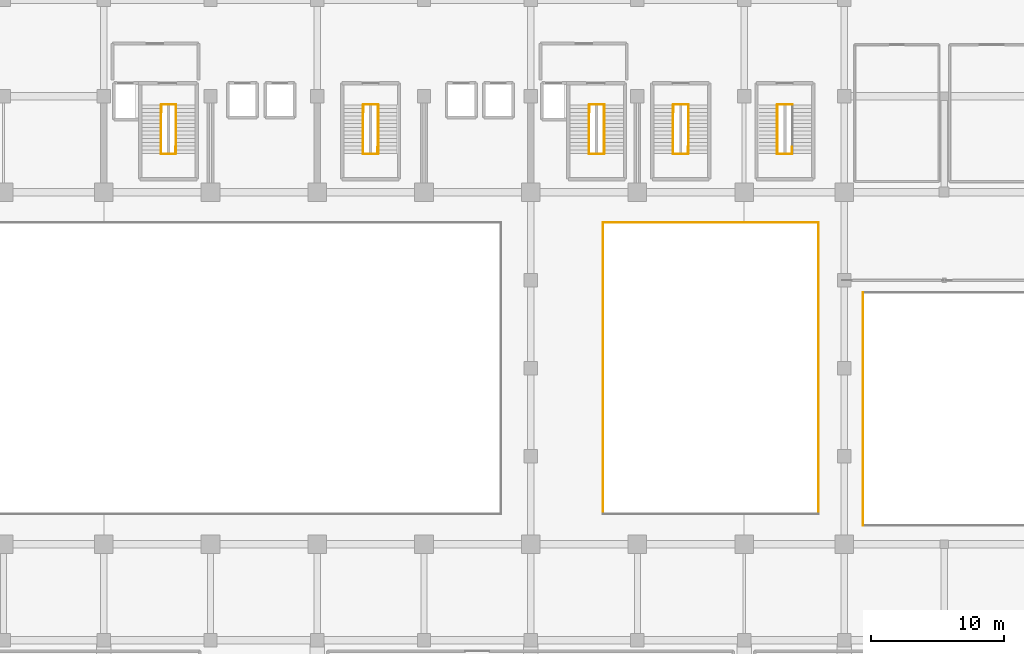
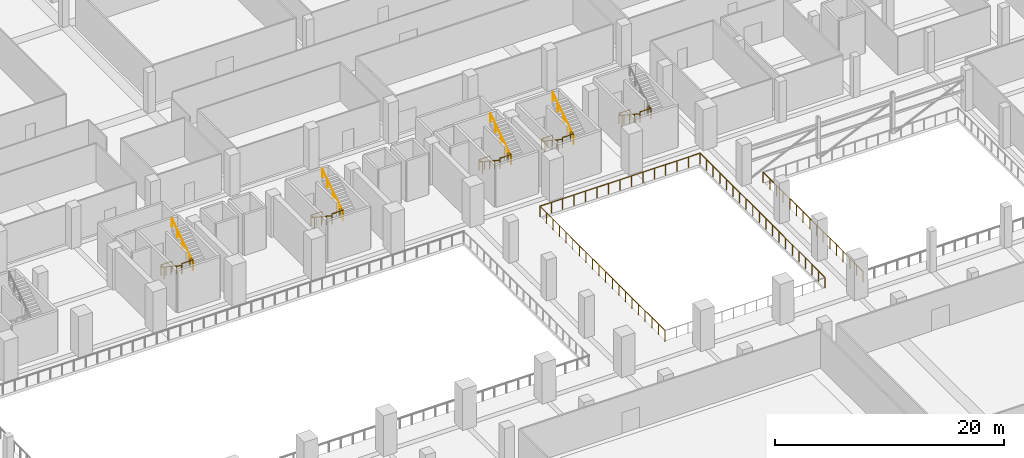
# One storey, part 58 of 64: 23 railings.
"""IFC4 building model written with IfcOpenShell, lengths in metres."""

import ifcopenshell
import ifcopenshell.guid

model = None  # the IFC model being written
_history = None  # IfcOwnerHistory: only IFC2X3 demands one
_inside = {}  # id of a spatial element -> (the spatial element, [elements in it])
_under = {}  # id of a project, library or spatial element -> (it, [spatial elements below it])
_declared = {}  # id of a project -> (the project, [libraries it declares])
_typed = {}  # id of a type object -> (the type object, [elements of that type])
_made_of = {}  # id of a material, layer set ... -> (it, [elements and type objects made of it])


def new_model(schema):
    """Start an empty IFC model of exactly this schema.

    Asked for "IFC4X3", IfcOpenShell would pick the latest addendum, in which some entities
    have other attributes; the version numbers below select the first issue.
    IFC2X3 requires an IfcOwnerHistory on every rooted entity: one is made here for all.
    """
    global model, _history
    if schema == "IFC4X3":
        model = ifcopenshell.file(schema_version=(4, 3, 0, 0))
    else:
        model = ifcopenshell.file(schema=schema)
    _inside.clear()
    _under.clear()
    _declared.clear()
    _typed.clear()
    _made_of.clear()
    _history = None
    if model.schema == "IFC2X3":
        org = make("IfcOrganization", Name="unknown")
        user = make(
            "IfcPersonAndOrganization",
            ThePerson=make("IfcPerson", FamilyName="unknown"),
            TheOrganization=org,
        )
        app = make(
            "IfcApplication",
            ApplicationDeveloper=org,
            Version="unknown",
            ApplicationFullName="unknown",
            ApplicationIdentifier="unknown",
        )
        _history = make(
            "IfcOwnerHistory",
            OwningUser=user,
            OwningApplication=app,
            ChangeAction="ADDED",
            CreationDate=0,
        )
    return model


def make(cls, **values):
    """One entity of the class cls with the attributes given. An attribute that is None is left unset."""
    return model.create_entity(
        cls, **{name: value for name, value in values.items() if value is not None}
    )


def rooted(cls, **values):
    """An entity with a GlobalId (a new one), such as an element, a storey or a relation."""
    return make(cls, GlobalId=ifcopenshell.guid.new(), OwnerHistory=_history, **values)


def si_unit(unit_type, name, prefix=None):
    """IfcSIUnit, for example si_unit("LENGTHUNIT", "METRE", prefix="MILLI")."""
    return make("IfcSIUnit", UnitType=unit_type, Prefix=prefix, Name=name)


def assignment(units):
    """IfcUnitAssignment: the units of a project."""
    return None if units is None else make("IfcUnitAssignment", Units=units)


def point(xyz):
    """IfcCartesianPoint."""
    return None if xyz is None else make("IfcCartesianPoint", Coordinates=xyz)


def direction(xyz):
    """IfcDirection."""
    return None if xyz is None else make("IfcDirection", DirectionRatios=xyz)


def frame(location, z_axis=None, x_axis=None):
    """IfcAxis2Placement3D, a coordinate frame: its origin and axes. An axis left out is left unset."""
    return make(
        "IfcAxis2Placement3D",
        Location=point(location),
        Axis=direction(z_axis),
        RefDirection=direction(x_axis),
    )


def frame_2d(location, x_axis=None):
    """IfcAxis2Placement2D, a coordinate frame in the plane: its origin and x axis."""
    return make(
        "IfcAxis2Placement2D", Location=point(location), RefDirection=direction(x_axis)
    )


def origin():
    """The frame at (0, 0, 0) with its axes left unset."""
    return frame((0.0, 0.0, 0.0))


def origin_2d():
    """The frame at (0, 0) in the plane with its x axis left unset."""
    return frame_2d((0.0, 0.0))


def place(relative_to, where):
    """IfcLocalPlacement: puts the frame where relative to a parent placement (None: the world)."""
    return make(
        "IfcLocalPlacement", PlacementRelTo=relative_to, RelativePlacement=where
    )


def context(
    kind, dimensions, precision=None, world=None, true_north=None, identifier=None
):
    """IfcGeometricRepresentationContext, for example the 3D "Model" context."""
    return make(
        "IfcGeometricRepresentationContext",
        ContextIdentifier=identifier,
        ContextType=kind,
        CoordinateSpaceDimension=dimensions,
        Precision=precision,
        WorldCoordinateSystem=world,
        TrueNorth=true_north,
    )


def subcontext(parent, identifier, kind, view, scale=None):
    """IfcGeometricRepresentationSubContext, for example "Body" below "Model"."""
    return make(
        "IfcGeometricRepresentationSubContext",
        ContextIdentifier=identifier,
        ContextType=kind,
        ParentContext=parent,
        TargetScale=scale,
        TargetView=view,
    )


def project(units=None, contexts=None):
    """IfcProject with its units and contexts."""
    return rooted(
        "IfcProject",
        Name="project",
        RepresentationContexts=contexts,
        UnitsInContext=assignment(units),
    )


def spatial(cls, under=None, at=None, **own):
    """A site, building, storey or space (cls), placed at a placement, below another one or the project."""
    s = rooted(cls, ObjectPlacement=at, **own)
    if under is not None:
        _under.setdefault(under.id(), (under, []))[1].append(s)
    return s


def profile(cls, at=None, kind="AREA", **sizes):
    """A parametric profile (cls). Its sizes go by their IFC names, for example OverallWidth=200.0."""
    return make(cls, ProfileType=kind, Position=at, **sizes)


def circle(**sizes):
    """IfcCircleProfileDef."""
    return profile("IfcCircleProfileDef", **sizes)


def extrude(swept, where, along, depth):
    """IfcExtrudedAreaSolid: the profile swept, set in the frame where, extruded along a direction by depth."""
    return make(
        "IfcExtrudedAreaSolid",
        SweptArea=swept,
        Position=where,
        ExtrudedDirection=direction(along),
        Depth=depth,
    )


def shape(context_of_items, identifier, shape_type, items):
    """IfcShapeRepresentation: the items that make up one representation, for example the "Body"."""
    return make(
        "IfcShapeRepresentation",
        ContextOfItems=context_of_items,
        RepresentationIdentifier=identifier,
        RepresentationType=shape_type,
        Items=items,
    )


def material(Name=None, Category=None):
    """IfcMaterial."""
    return make("IfcMaterial", Name=Name, Category=Category)


def layer(
    of_material, thickness, ventilated=None, Name=None, Category=None, Priority=None
):
    """IfcMaterialLayer: one layer of a wall or slab, of a material (None: an air gap)."""
    return make(
        "IfcMaterialLayer",
        Material=of_material,
        LayerThickness=thickness,
        IsVentilated=ventilated,
        Name=Name,
        Category=Category,
        Priority=Priority,
    )


def layer_set(layers, Name=None):
    """IfcMaterialLayerSet."""
    return make("IfcMaterialLayerSet", MaterialLayers=layers, LayerSetName=Name)


def made_of(thing, what):
    """Note that an element or type object is made of a material, layer set ...; save() writes the relation."""
    if what is not None:
        _made_of.setdefault(what.id(), (what, []))[1].append(thing)
    return thing


def type_object(cls, material=None, **own):
    """A type object (cls), such as IfcWallType, which elements share."""
    return made_of(rooted(cls, **own), material)


def element(
    cls,
    number,
    at=None,
    inside=None,
    cuts=None,
    type_object=None,
    material=None,
    context=None,
    identifier="Body",
    shape_type=None,
    held_by="IfcProductDefinitionShape",
    body=None,
    shapes=None,
    **own,
):
    """One element of the class cls, such as IfcWall. Its Tag is "e" and its number.

    at: its placement. inside: the storey or other place that contains it. cuts: it is an
    opening in that element (IfcRelVoidsElement). A single representation is given by context,
    identifier, shape_type and body (its items); several are given by shapes. held_by: the class
    of the entity that holds the representations. save() writes the other relations.
    """
    e = rooted(cls, Tag="e%d" % number, ObjectPlacement=at, **own)
    if body is not None:
        shapes = [shape(context, identifier, shape_type, body)]
    if shapes is not None:
        e.Representation = make(held_by, Representations=shapes)
    if inside is not None:
        _inside.setdefault(inside.id(), (inside, []))[1].append(e)
    if cuts is not None:
        rooted(
            "IfcRelVoidsElement", RelatingBuildingElement=cuts, RelatedOpeningElement=e
        )
    if type_object is not None:
        _typed.setdefault(type_object.id(), (type_object, []))[1].append(e)
    return made_of(e, material)


def aggregate(whole, parts):
    """IfcRelAggregates: a whole, such as a stair, and the parts it consists of."""
    return rooted("IfcRelAggregates", RelatingObject=whole, RelatedObjects=parts)


def save(model, path):
    """Write the relations noted so far, then the file.

    IfcRelAggregates (storeys below a building ...), IfcRelContainedInSpatialStructure (elements
    in a storey), IfcRelDefinesByType, IfcRelAssociatesMaterial and IfcRelDeclares: one each for
    every whole, place, type object, material and project.
    """
    for whole, parts in _under.values():
        aggregate(whole, parts)
    for where, things in _inside.values():
        rooted(
            "IfcRelContainedInSpatialStructure",
            RelatedElements=things,
            RelatingStructure=where,
        )
    for kind, things in _typed.values():
        rooted("IfcRelDefinesByType", RelatedObjects=things, RelatingType=kind)
    for what, things in _made_of.values():
        rooted("IfcRelAssociatesMaterial", RelatedObjects=things, RelatingMaterial=what)
    for by, libraries in _declared.values():
        rooted("IfcRelDeclares", RelatingContext=by, RelatedDefinitions=libraries)
    model.write(path)


model = new_model("IFC4")

# Units and contexts
model_context = context("Model", 3, precision=1e-05, world=origin(), true_north=direction((0.0, 1.0)))
body_context = subcontext(model_context, "Body", "Model", "MODEL_VIEW")
ifc_project = project(units=[si_unit("LENGTHUNIT", "METRE"), si_unit("AREAUNIT", "SQUARE_METRE"), si_unit("VOLUMEUNIT", "CUBIC_METRE"), si_unit("PLANEANGLEUNIT", "RADIAN"), si_unit("MASSUNIT", "GRAM", prefix="KILO")], contexts=[model_context])

# Site, building, storey
site_placement = place(None, origin())
site = spatial("IfcSite", under=ifc_project, at=site_placement, CompositionType="ELEMENT")
building_placement = place(site_placement, origin())
building = spatial("IfcBuilding", under=site, at=building_placement, Name="Akrevak Sports Hall", CompositionType="ELEMENT")
storey_placement = place(building_placement, frame((0.0, 0.0, 4.60009765625)))
storey = spatial("IfcBuildingStorey", under=building, at=storey_placement, Name="L01", CompositionType="ELEMENT", Elevation=4.60009765625)

# Railings
ifc_material_1 = material(Name="Painted Architectural Balustrade Steel", Category="steel")
ifc_layer_1 = layer(ifc_material_1, 0.06005859375, Name="Painted Architectural Balustrade Steel")
ifc_layer_set_1 = layer_set([ifc_layer_1], Name="Painted Architectural Balustrade Steel")
railing_type_1 = type_object("IfcRailingType", Name="ARC-RL-GRD-1120", PredefinedType="GUARDRAIL", material=ifc_layer_set_1)
railing_1_placement = place(storey_placement, frame((64.31005859375, 61.215087890625, 0.0)))
element("IfcRailing", 1, at=railing_1_placement, inside=storey, type_object=railing_type_1, Name="Stair Floor Landing Well Guard ST1 (L01)", PredefinedType="GUARDRAIL", context=body_context, shape_type="SweptSolid", body=[
    extrude(circle(Radius=0.02392578125, at=origin_2d()), frame((0.0, 0.0, 1.09619140625), z_axis=(0.0, 1.0, 0.0), x_axis=(-1.0, 0.0, 0.0)), (0.0, 0.0, 1.0), 0.5498046875),
    extrude(circle(Radius=0.02392578125, at=origin_2d()), frame((0.0, 0.5498046875, 1.09619140625), z_axis=(1.0, 0.0, 0.0), x_axis=(0.0, 1.0, 0.0)), (0.0, 0.0, 1.0), 1.10986328125),
    extrude(circle(Radius=0.02099609375, at=origin_2d()), origin(), (0.0, 0.0, 1.0), 1.072021484375),
    extrude(circle(Radius=0.02099609375, at=origin_2d()), frame((0.0, 0.5498046875, 0.0)), (0.0, 0.0, 1.0), 1.072021484375),
    extrude(circle(Radius=0.02099609375, at=origin_2d()), frame((1.10986328125, 0.5498046875, 0.0)), (0.0, 0.0, 1.0), 1.072021484375),
])
railing_2_placement = place(storey_placement, frame((64.280029296875, 58.06494140625, 2.39990234375)))
element("IfcRailing", 2, at=railing_2_placement, inside=storey, type_object=railing_type_1, Name="Stair Landing Well Guard ST1-L01-1", PredefinedType="GUARDRAIL", context=body_context, shape_type="SweptSolid", body=[
    extrude(circle(Radius=0.02392578125, at=origin_2d()), frame((0.0, 0.0, 1.09619140625), z_axis=(1.0, 0.0, 0.0), x_axis=(0.0, 1.0, 0.0)), (0.0, 0.0, 1.0), 1.10986328125),
    extrude(circle(Radius=0.02392578125, at=origin_2d()), frame((1.10986328125, 0.0, 1.09619140625), z_axis=(0.0, 1.0, 0.0), x_axis=(-1.0, 0.0, 0.0)), (0.0, 0.0, 1.0), 0.52001953125),
    extrude(circle(Radius=0.02099609375, at=origin_2d()), origin(), (0.0, 0.0, 1.0), 1.072021484375),
    extrude(circle(Radius=0.02099609375, at=origin_2d()), frame((1.10986328125, 0.0, 0.0)), (0.0, 0.0, 1.0), 1.072021484375),
    extrude(circle(Radius=0.02099609375, at=origin_2d()), frame((1.10986328125, 0.52001953125, 0.0)), (0.0, 0.0, 1.0), 1.072021484375),
])
railing_3_placement = place(storey_placement, frame((96.409912109375, 61.215087890625, 0.0)))
element("IfcRailing", 3, at=railing_3_placement, inside=storey, type_object=railing_type_1, Name="Stair Floor Landing Well Guard ST2 (L01)", PredefinedType="GUARDRAIL", context=body_context, shape_type="SweptSolid", body=[
    extrude(circle(Radius=0.02392578125, at=origin_2d()), frame((0.0, 0.0, 1.09619140625), z_axis=(0.0, 1.0, 0.0), x_axis=(-1.0, 0.0, 0.0)), (0.0, 0.0, 1.0), 0.5498046875),
    extrude(circle(Radius=0.02392578125, at=origin_2d()), frame((0.0, 0.5498046875, 1.09619140625), z_axis=(1.0, 0.0, 0.0), x_axis=(0.0, 1.0, 0.0)), (0.0, 0.0, 1.0), 1.110107421875),
    extrude(circle(Radius=0.02099609375, at=origin_2d()), origin(), (0.0, 0.0, 1.0), 1.072021484375),
    extrude(circle(Radius=0.02099609375, at=origin_2d()), frame((0.0, 0.5498046875, 0.0)), (0.0, 0.0, 1.0), 1.072021484375),
    extrude(circle(Radius=0.02099609375, at=origin_2d()), frame((1.110107421875, 0.5498046875, 0.0)), (0.0, 0.0, 1.0), 1.072021484375),
])
railing_4_placement = place(storey_placement, frame((96.3798828125, 58.06494140625, 2.39990234375)))
element("IfcRailing", 4, at=railing_4_placement, inside=storey, type_object=railing_type_1, Name="Stair Landing Well Guard ST2-L01-1", PredefinedType="GUARDRAIL", context=body_context, shape_type="SweptSolid", body=[
    extrude(circle(Radius=0.02392578125, at=origin_2d()), frame((0.0, 0.0, 1.09619140625), z_axis=(1.0, 0.0, 0.0), x_axis=(0.0, 1.0, 0.0)), (0.0, 0.0, 1.0), 1.110107421875),
    extrude(circle(Radius=0.02392578125, at=origin_2d()), frame((1.110107421875, 0.0, 1.09619140625), z_axis=(0.0, 1.0, 0.0), x_axis=(-1.0, 0.0, 0.0)), (0.0, 0.0, 1.0), 0.52001953125),
    extrude(circle(Radius=0.02099609375, at=origin_2d()), origin(), (0.0, 0.0, 1.0), 1.072021484375),
    extrude(circle(Radius=0.02099609375, at=origin_2d()), frame((1.110107421875, 0.0, 0.0)), (0.0, 0.0, 1.0), 1.072021484375),
    extrude(circle(Radius=0.02099609375, at=origin_2d()), frame((1.110107421875, 0.52001953125, 0.0)), (0.0, 0.0, 1.0), 1.072021484375),
])
railing_5_placement = place(storey_placement, frame((79.4599609375, 61.215087890625, 0.0)))
element("IfcRailing", 5, at=railing_5_placement, inside=storey, type_object=railing_type_1, Name="Stair Floor Landing Well Guard ST3 (L01)", PredefinedType="GUARDRAIL", context=body_context, shape_type="SweptSolid", body=[
    extrude(circle(Radius=0.02392578125, at=origin_2d()), frame((0.0, 0.0, 1.09619140625), z_axis=(0.0, 1.0, 0.0), x_axis=(-1.0, 0.0, 0.0)), (0.0, 0.0, 1.0), 0.5498046875),
    extrude(circle(Radius=0.02392578125, at=origin_2d()), frame((0.0, 0.5498046875, 1.09619140625), z_axis=(1.0, 0.0, 0.0), x_axis=(0.0, 1.0, 0.0)), (0.0, 0.0, 1.0), 1.110107421875),
    extrude(circle(Radius=0.02099609375, at=origin_2d()), origin(), (0.0, 0.0, 1.0), 1.072021484375),
    extrude(circle(Radius=0.02099609375, at=origin_2d()), frame((0.0, 0.5498046875, 0.0)), (0.0, 0.0, 1.0), 1.072021484375),
    extrude(circle(Radius=0.02099609375, at=origin_2d()), frame((1.110107421875, 0.5498046875, 0.0)), (0.0, 0.0, 1.0), 1.072021484375),
])
railing_6_placement = place(storey_placement, frame((79.429931640625, 58.06494140625, 2.39990234375)))
element("IfcRailing", 6, at=railing_6_placement, inside=storey, type_object=railing_type_1, Name="Stair Landing Well Guard ST3-L01-1", PredefinedType="GUARDRAIL", context=body_context, shape_type="SweptSolid", body=[
    extrude(circle(Radius=0.02392578125, at=origin_2d()), frame((0.0, 0.0, 1.09619140625), z_axis=(1.0, 0.0, 0.0), x_axis=(0.0, 1.0, 0.0)), (0.0, 0.0, 1.0), 1.110107421875),
    extrude(circle(Radius=0.02392578125, at=origin_2d()), frame((1.110107421875, 0.0, 1.09619140625), z_axis=(0.0, 1.0, 0.0), x_axis=(-1.0, 0.0, 0.0)), (0.0, 0.0, 1.0), 0.52001953125),
    extrude(circle(Radius=0.02099609375, at=origin_2d()), origin(), (0.0, 0.0, 1.0), 1.072021484375),
    extrude(circle(Radius=0.02099609375, at=origin_2d()), frame((1.110107421875, 0.0, 0.0)), (0.0, 0.0, 1.0), 1.072021484375),
    extrude(circle(Radius=0.02099609375, at=origin_2d()), frame((1.110107421875, 0.52001953125, 0.0)), (0.0, 0.0, 1.0), 1.072021484375),
])
railing_7_placement = place(storey_placement, frame((102.7099609375, 61.215087890625, 0.0)))
element("IfcRailing", 7, at=railing_7_placement, inside=storey, type_object=railing_type_1, Name="Stair Floor Landing Well Guard ST10 (L01)", PredefinedType="GUARDRAIL", context=body_context, shape_type="SweptSolid", body=[
    extrude(circle(Radius=0.02392578125, at=origin_2d()), frame((0.0, 0.0, 1.09619140625), z_axis=(0.0, 1.0, 0.0), x_axis=(-1.0, 0.0, 0.0)), (0.0, 0.0, 1.0), 0.5498046875),
    extrude(circle(Radius=0.02392578125, at=origin_2d()), frame((0.0, 0.5498046875, 1.09619140625), z_axis=(1.0, 0.0, 0.0), x_axis=(0.0, 1.0, 0.0)), (0.0, 0.0, 1.0), 1.110107421875),
    extrude(circle(Radius=0.02099609375, at=origin_2d()), origin(), (0.0, 0.0, 1.0), 1.072021484375),
    extrude(circle(Radius=0.02099609375, at=origin_2d()), frame((0.0, 0.5498046875, 0.0)), (0.0, 0.0, 1.0), 1.072021484375),
    extrude(circle(Radius=0.02099609375, at=origin_2d()), frame((1.110107421875, 0.5498046875, 0.0)), (0.0, 0.0, 1.0), 1.072021484375),
])
railing_8_placement = place(storey_placement, frame((102.679931640625, 58.06494140625, 2.39990234375)))
element("IfcRailing", 8, at=railing_8_placement, inside=storey, type_object=railing_type_1, Name="Stair Landing Well Guard ST10-L01-1", PredefinedType="GUARDRAIL", context=body_context, shape_type="SweptSolid", body=[
    extrude(circle(Radius=0.02392578125, at=origin_2d()), frame((0.0, 0.0, 1.09619140625), z_axis=(1.0, 0.0, 0.0), x_axis=(0.0, 1.0, 0.0)), (0.0, 0.0, 1.0), 1.110107421875),
    extrude(circle(Radius=0.02392578125, at=origin_2d()), frame((1.110107421875, 0.0, 1.09619140625), z_axis=(0.0, 1.0, 0.0), x_axis=(-1.0, 0.0, 0.0)), (0.0, 0.0, 1.0), 0.52001953125),
    extrude(circle(Radius=0.02099609375, at=origin_2d()), origin(), (0.0, 0.0, 1.0), 1.072021484375),
    extrude(circle(Radius=0.02099609375, at=origin_2d()), frame((1.110107421875, 0.0, 0.0)), (0.0, 0.0, 1.0), 1.072021484375),
    extrude(circle(Radius=0.02099609375, at=origin_2d()), frame((1.110107421875, 0.52001953125, 0.0)), (0.0, 0.0, 1.0), 1.072021484375),
])
railing_9_placement = place(storey_placement, frame((110.510009765625, 61.215087890625, 0.0)))
element("IfcRailing", 9, at=railing_9_placement, inside=storey, type_object=railing_type_1, Name="Stair Floor Landing Well Guard ST11 (L01)", PredefinedType="GUARDRAIL", context=body_context, shape_type="SweptSolid", body=[
    extrude(circle(Radius=0.02392578125, at=origin_2d()), frame((0.0, 0.0, 1.09619140625), z_axis=(0.0, 1.0, 0.0), x_axis=(-1.0, 0.0, 0.0)), (0.0, 0.0, 1.0), 0.5498046875),
    extrude(circle(Radius=0.02392578125, at=origin_2d()), frame((0.0, 0.5498046875, 1.09619140625), z_axis=(1.0, 0.0, 0.0), x_axis=(0.0, 1.0, 0.0)), (0.0, 0.0, 1.0), 1.110107421875),
    extrude(circle(Radius=0.02099609375, at=origin_2d()), origin(), (0.0, 0.0, 1.0), 1.072021484375),
    extrude(circle(Radius=0.02099609375, at=origin_2d()), frame((0.0, 0.5498046875, 0.0)), (0.0, 0.0, 1.0), 1.072021484375),
    extrude(circle(Radius=0.02099609375, at=origin_2d()), frame((1.110107421875, 0.5498046875, 0.0)), (0.0, 0.0, 1.0), 1.072021484375),
])
railing_10_placement = place(storey_placement, frame((110.47998046875, 58.06494140625, 2.39990234375)))
element("IfcRailing", 10, at=railing_10_placement, inside=storey, type_object=railing_type_1, Name="Stair Landing Well Guard ST11-L01-1", PredefinedType="GUARDRAIL", context=body_context, shape_type="SweptSolid", body=[
    extrude(circle(Radius=0.02392578125, at=origin_2d()), frame((0.0, 0.0, 1.09619140625), z_axis=(1.0, 0.0, 0.0), x_axis=(0.0, 1.0, 0.0)), (0.0, 0.0, 1.0), 1.110107421875),
    extrude(circle(Radius=0.02392578125, at=origin_2d()), frame((1.110107421875, 0.0, 1.09619140625), z_axis=(0.0, 1.0, 0.0), x_axis=(-1.0, 0.0, 0.0)), (0.0, 0.0, 1.0), 0.52001953125),
    extrude(circle(Radius=0.02099609375, at=origin_2d()), origin(), (0.0, 0.0, 1.0), 1.072021484375),
    extrude(circle(Radius=0.02099609375, at=origin_2d()), frame((1.110107421875, 0.0, 0.0)), (0.0, 0.0, 1.0), 1.072021484375),
    extrude(circle(Radius=0.02099609375, at=origin_2d()), frame((1.110107421875, 0.52001953125, 0.0)), (0.0, 0.0, 1.0), 1.072021484375),
])
ifc_material_2 = material(Name="Anodized Bronze Aluminium & Laminated Glass", Category="aluminium")
ifc_layer_2 = layer(ifc_material_2, 0.080078125, Name="Anodized Bronze Aluminium & Laminated Glass")
ifc_layer_set_2 = layer_set([ifc_layer_2], Name="Anodized Bronze Aluminium & Laminated Glass")
railing_type_2 = type_object("IfcRailingType", Name="ARC-RL-GRD-1150", PredefinedType="GUARDRAIL", material=ifc_layer_set_2)
railing_11_placement = place(storey_placement, frame((113.580078125, 52.929931640625, 0.0)))
element("IfcRailing", 11, at=railing_11_placement, inside=storey, type_object=railing_type_2, Name="Atrium/Arena Gallery Guardrail L01-BLD-N", PredefinedType="GUARDRAIL", context=body_context, shape_type="SweptSolid", body=[
    extrude(circle(Radius=0.02392578125, at=origin_2d()), frame((0.0, 0.0, 1.1259765625), z_axis=(-1.0, 0.0, 0.0), x_axis=(0.0, -1.0, 0.0)), (0.0, 0.0, 1.0), 16.16015625),
    extrude(circle(Radius=0.02099609375, at=origin_2d()), origin(), (0.0, 0.0, 1.0), 1.101806640625),
    extrude(circle(Radius=0.02099609375, at=origin_2d()), frame((-1.154296875, 0.0, 0.0)), (0.0, 0.0, 1.0), 1.101806640625),
    extrude(circle(Radius=0.02099609375, at=origin_2d()), frame((-2.30859375, 0.0, 0.0)), (0.0, 0.0, 1.0), 1.101806640625),
    extrude(circle(Radius=0.02099609375, at=origin_2d()), frame((-3.462890625, 0.0, 0.0)), (0.0, 0.0, 1.0), 1.101806640625),
    extrude(circle(Radius=0.02099609375, at=origin_2d()), frame((-4.6171875, 0.0, 0.0)), (0.0, 0.0, 1.0), 1.101806640625),
    extrude(circle(Radius=0.02099609375, at=origin_2d()), frame((-5.771484375, 0.0, 0.0)), (0.0, 0.0, 1.0), 1.101806640625),
    extrude(circle(Radius=0.02099609375, at=origin_2d()), frame((-6.92578125, 0.0, 0.0)), (0.0, 0.0, 1.0), 1.101806640625),
    extrude(circle(Radius=0.02099609375, at=origin_2d()), frame((-8.080078125, 0.0, 0.0)), (0.0, 0.0, 1.0), 1.101806640625),
    extrude(circle(Radius=0.02099609375, at=origin_2d()), frame((-9.234375, 0.0, 0.0)), (0.0, 0.0, 1.0), 1.101806640625),
    extrude(circle(Radius=0.02099609375, at=origin_2d()), frame((-10.388671875, 0.0, 0.0)), (0.0, 0.0, 1.0), 1.101806640625),
    extrude(circle(Radius=0.02099609375, at=origin_2d()), frame((-11.54296875, 0.0, 0.0)), (0.0, 0.0, 1.0), 1.101806640625),
    extrude(circle(Radius=0.02099609375, at=origin_2d()), frame((-12.697265625, 0.0, 0.0)), (0.0, 0.0, 1.0), 1.101806640625),
    extrude(circle(Radius=0.02099609375, at=origin_2d()), frame((-13.8515625, 0.0, 0.0)), (0.0, 0.0, 1.0), 1.101806640625),
    extrude(circle(Radius=0.02099609375, at=origin_2d()), frame((-15.005859375, 0.0, 0.0)), (0.0, 0.0, 1.0), 1.101806640625),
    extrude(circle(Radius=0.02099609375, at=origin_2d()), frame((-16.16015625, 0.0, 0.0)), (0.0, 0.0, 1.0), 1.101806640625),
])
railing_12_placement = place(storey_placement, frame((97.419921875, 52.929931640625, 0.0)))
element("IfcRailing", 12, at=railing_12_placement, inside=storey, type_object=railing_type_2, Name="Atrium/Arena Gallery Guardrail L01-BLD-W", PredefinedType="GUARDRAIL", context=body_context, shape_type="SweptSolid", body=[
    extrude(circle(Radius=0.02392578125, at=origin_2d()), frame((0.0, 0.0, 1.1259765625), z_axis=(0.0, -1.0, 0.0), x_axis=(1.0, 0.0, 0.0)), (0.0, 0.0, 1.0), 21.85986328125),
    extrude(circle(Radius=0.02099609375, at=origin_2d()), origin(), (0.0, 0.0, 1.0), 1.101806640625),
    extrude(circle(Radius=0.02099609375, at=origin_2d()), frame((0.0, -1.150634765625, 0.0)), (0.0, 0.0, 1.0), 1.101806640625),
    extrude(circle(Radius=0.02099609375, at=origin_2d()), frame((0.0, -2.301025390625, 0.0)), (0.0, 0.0, 1.0), 1.101806640625),
    extrude(circle(Radius=0.02099609375, at=origin_2d()), frame((0.0, -3.45166015625, 0.0)), (0.0, 0.0, 1.0), 1.101806640625),
    extrude(circle(Radius=0.02099609375, at=origin_2d()), frame((0.0, -4.60205078125, 0.0)), (0.0, 0.0, 1.0), 1.101806640625),
    extrude(circle(Radius=0.02099609375, at=origin_2d()), frame((0.0, -5.752685546875, 0.0)), (0.0, 0.0, 1.0), 1.101806640625),
    extrude(circle(Radius=0.02099609375, at=origin_2d()), frame((0.0, -6.903076171875, 0.0)), (0.0, 0.0, 1.0), 1.101806640625),
    extrude(circle(Radius=0.02099609375, at=origin_2d()), frame((0.0, -8.0537109375, 0.0)), (0.0, 0.0, 1.0), 1.101806640625),
    extrude(circle(Radius=0.02099609375, at=origin_2d()), frame((0.0, -9.2041015625, 0.0)), (0.0, 0.0, 1.0), 1.101806640625),
    extrude(circle(Radius=0.02099609375, at=origin_2d()), frame((0.0, -10.354736328125, 0.0)), (0.0, 0.0, 1.0), 1.101806640625),
    extrude(circle(Radius=0.02099609375, at=origin_2d()), frame((0.0, -11.505126953125, 0.0)), (0.0, 0.0, 1.0), 1.101806640625),
    extrude(circle(Radius=0.02099609375, at=origin_2d()), frame((0.0, -12.65576171875, 0.0)), (0.0, 0.0, 1.0), 1.101806640625),
    extrude(circle(Radius=0.02099609375, at=origin_2d()), frame((0.0, -13.80615234375, 0.0)), (0.0, 0.0, 1.0), 1.101806640625),
    extrude(circle(Radius=0.02099609375, at=origin_2d()), frame((0.0, -14.956787109375, 0.0)), (0.0, 0.0, 1.0), 1.101806640625),
    extrude(circle(Radius=0.02099609375, at=origin_2d()), frame((0.0, -16.107177734375, 0.0)), (0.0, 0.0, 1.0), 1.101806640625),
    extrude(circle(Radius=0.02099609375, at=origin_2d()), frame((0.0, -17.2578125, 0.0)), (0.0, 0.0, 1.0), 1.101806640625),
    extrude(circle(Radius=0.02099609375, at=origin_2d()), frame((0.0, -18.408203125, 0.0)), (0.0, 0.0, 1.0), 1.101806640625),
    extrude(circle(Radius=0.02099609375, at=origin_2d()), frame((0.0, -19.558837890625, 0.0)), (0.0, 0.0, 1.0), 1.101806640625),
    extrude(circle(Radius=0.02099609375, at=origin_2d()), frame((0.0, -20.709228515625, 0.0)), (0.0, 0.0, 1.0), 1.101806640625),
    extrude(circle(Radius=0.02099609375, at=origin_2d()), frame((0.0, -21.85986328125, 0.0)), (0.0, 0.0, 1.0), 1.101806640625),
])
railing_13_placement = place(storey_placement, frame((113.580078125, 31.070068359375, 0.0)))
element("IfcRailing", 13, at=railing_13_placement, inside=storey, type_object=railing_type_2, Name="Atrium/Arena Gallery Guardrail L01-BLD-E", PredefinedType="GUARDRAIL", context=body_context, shape_type="SweptSolid", body=[
    extrude(circle(Radius=0.02392578125, at=origin_2d()), frame((0.0, 0.0, 1.1259765625), z_axis=(0.0, 1.0, 0.0), x_axis=(-1.0, 0.0, 0.0)), (0.0, 0.0, 1.0), 21.85986328125),
    extrude(circle(Radius=0.02099609375, at=origin_2d()), origin(), (0.0, 0.0, 1.0), 1.101806640625),
    extrude(circle(Radius=0.02099609375, at=origin_2d()), frame((0.0, 1.150634765625, 0.0)), (0.0, 0.0, 1.0), 1.101806640625),
    extrude(circle(Radius=0.02099609375, at=origin_2d()), frame((0.0, 2.301025390625, 0.0)), (0.0, 0.0, 1.0), 1.101806640625),
    extrude(circle(Radius=0.02099609375, at=origin_2d()), frame((0.0, 3.45166015625, 0.0)), (0.0, 0.0, 1.0), 1.101806640625),
    extrude(circle(Radius=0.02099609375, at=origin_2d()), frame((0.0, 4.60205078125, 0.0)), (0.0, 0.0, 1.0), 1.101806640625),
    extrude(circle(Radius=0.02099609375, at=origin_2d()), frame((0.0, 5.752685546875, 0.0)), (0.0, 0.0, 1.0), 1.101806640625),
    extrude(circle(Radius=0.02099609375, at=origin_2d()), frame((0.0, 6.903076171875, 0.0)), (0.0, 0.0, 1.0), 1.101806640625),
    extrude(circle(Radius=0.02099609375, at=origin_2d()), frame((0.0, 8.0537109375, 0.0)), (0.0, 0.0, 1.0), 1.101806640625),
    extrude(circle(Radius=0.02099609375, at=origin_2d()), frame((0.0, 9.2041015625, 0.0)), (0.0, 0.0, 1.0), 1.101806640625),
    extrude(circle(Radius=0.02099609375, at=origin_2d()), frame((0.0, 10.354736328125, 0.0)), (0.0, 0.0, 1.0), 1.101806640625),
    extrude(circle(Radius=0.02099609375, at=origin_2d()), frame((0.0, 11.505126953125, 0.0)), (0.0, 0.0, 1.0), 1.101806640625),
    extrude(circle(Radius=0.02099609375, at=origin_2d()), frame((0.0, 12.65576171875, 0.0)), (0.0, 0.0, 1.0), 1.101806640625),
    extrude(circle(Radius=0.02099609375, at=origin_2d()), frame((0.0, 13.80615234375, 0.0)), (0.0, 0.0, 1.0), 1.101806640625),
    extrude(circle(Radius=0.02099609375, at=origin_2d()), frame((0.0, 14.956787109375, 0.0)), (0.0, 0.0, 1.0), 1.101806640625),
    extrude(circle(Radius=0.02099609375, at=origin_2d()), frame((0.0, 16.107177734375, 0.0)), (0.0, 0.0, 1.0), 1.101806640625),
    extrude(circle(Radius=0.02099609375, at=origin_2d()), frame((0.0, 17.2578125, 0.0)), (0.0, 0.0, 1.0), 1.101806640625),
    extrude(circle(Radius=0.02099609375, at=origin_2d()), frame((0.0, 18.408203125, 0.0)), (0.0, 0.0, 1.0), 1.101806640625),
    extrude(circle(Radius=0.02099609375, at=origin_2d()), frame((0.0, 19.558837890625, 0.0)), (0.0, 0.0, 1.0), 1.101806640625),
    extrude(circle(Radius=0.02099609375, at=origin_2d()), frame((0.0, 20.709228515625, 0.0)), (0.0, 0.0, 1.0), 1.101806640625),
    extrude(circle(Radius=0.02099609375, at=origin_2d()), frame((0.0, 21.85986328125, 0.0)), (0.0, 0.0, 1.0), 1.101806640625),
])
railing_14_placement = place(storey_placement, frame((116.919921875, 47.679931640625, 0.0)))
element("IfcRailing", 14, at=railing_14_placement, inside=storey, type_object=railing_type_2, Name="Atrium/Arena Gallery Guardrail L01-CLM-W", PredefinedType="GUARDRAIL", context=body_context, shape_type="SweptSolid", body=[
    extrude(circle(Radius=0.02392578125, at=origin_2d()), frame((0.0, 0.0, 1.1259765625), z_axis=(0.0, -1.0, 0.0), x_axis=(1.0, 0.0, 0.0)), (0.0, 0.0, 1.0), 17.4599609375),
    extrude(circle(Radius=0.02099609375, at=origin_2d()), origin(), (0.0, 0.0, 1.0), 1.101806640625),
    extrude(circle(Radius=0.02099609375, at=origin_2d()), frame((0.0, -1.1640625, 0.0)), (0.0, 0.0, 1.0), 1.101806640625),
    extrude(circle(Radius=0.02099609375, at=origin_2d()), frame((0.0, -2.327880859375, 0.0)), (0.0, 0.0, 1.0), 1.101806640625),
    extrude(circle(Radius=0.02099609375, at=origin_2d()), frame((0.0, -3.491943359375, 0.0)), (0.0, 0.0, 1.0), 1.101806640625),
    extrude(circle(Radius=0.02099609375, at=origin_2d()), frame((0.0, -4.656005859375, 0.0)), (0.0, 0.0, 1.0), 1.101806640625),
    extrude(circle(Radius=0.02099609375, at=origin_2d()), frame((0.0, -5.820068359375, 0.0)), (0.0, 0.0, 1.0), 1.101806640625),
    extrude(circle(Radius=0.02099609375, at=origin_2d()), frame((0.0, -6.98388671875, 0.0)), (0.0, 0.0, 1.0), 1.101806640625),
    extrude(circle(Radius=0.02099609375, at=origin_2d()), frame((0.0, -8.14794921875, 0.0)), (0.0, 0.0, 1.0), 1.101806640625),
    extrude(circle(Radius=0.02099609375, at=origin_2d()), frame((0.0, -9.31201171875, 0.0)), (0.0, 0.0, 1.0), 1.101806640625),
    extrude(circle(Radius=0.02099609375, at=origin_2d()), frame((0.0, -10.47607421875, 0.0)), (0.0, 0.0, 1.0), 1.101806640625),
    extrude(circle(Radius=0.02099609375, at=origin_2d()), frame((0.0, -11.639892578125, 0.0)), (0.0, 0.0, 1.0), 1.101806640625),
    extrude(circle(Radius=0.02099609375, at=origin_2d()), frame((0.0, -12.803955078125, 0.0)), (0.0, 0.0, 1.0), 1.101806640625),
    extrude(circle(Radius=0.02099609375, at=origin_2d()), frame((0.0, -13.968017578125, 0.0)), (0.0, 0.0, 1.0), 1.101806640625),
    extrude(circle(Radius=0.02099609375, at=origin_2d()), frame((0.0, -15.132080078125, 0.0)), (0.0, 0.0, 1.0), 1.101806640625),
    extrude(circle(Radius=0.02099609375, at=origin_2d()), frame((0.0, -16.2958984375, 0.0)), (0.0, 0.0, 1.0), 1.101806640625),
    extrude(circle(Radius=0.02099609375, at=origin_2d()), frame((0.0, -17.4599609375, 0.0)), (0.0, 0.0, 1.0), 1.101806640625),
])
ifc_material_3 = material(Name="Brushed Stainless Steel 304", Category="steel")
ifc_layer_3 = layer(ifc_material_3, 0.050048828125, Name="Brushed Stainless Steel 304")
ifc_layer_set_3 = layer_set([ifc_layer_3], Name="Brushed Stainless Steel 304")
railing_type_3 = type_object("IfcRailingType", Name="ARC-RL-HND-900", PredefinedType="HANDRAIL", material=ifc_layer_set_3)
railing_15_placement = place(storey_placement, frame((64.280029296875, 61.735107421875, 0.0)))
element("IfcRailing", 15, at=railing_15_placement, inside=storey, type_object=railing_type_3, Name="Stair Handrail ST1-L01-F1", PredefinedType="HANDRAIL", context=body_context, shape_type="SweptSolid", body=[
    extrude(circle(Radius=0.02392578125, at=origin_2d()), frame((0.0, 0.0, 0.8759765625), z_axis=(0.0, -0.83488217925, 0.55042869363), x_axis=(1.0, 0.0, 0.0)), (0.0, 0.0, 1.0), 4.360107421875),
    extrude(circle(Radius=0.02099609375, at=origin_2d()), origin(), (0.0, 0.0, 1.0), 0.851806640625),
    extrude(circle(Radius=0.02099609375, at=origin_2d()), frame((0.0, -0.91015625, 0.60009765625)), (0.0, 0.0, 1.0), 0.851806640625),
    extrude(circle(Radius=0.02099609375, at=origin_2d()), frame((0.0, -1.820068359375, 1.199951171875)), (0.0, 0.0, 1.0), 0.851806640625),
    extrude(circle(Radius=0.02099609375, at=origin_2d()), frame((0.0, -2.72998046875, 1.7998046875)), (0.0, 0.0, 1.0), 0.851806640625),
    extrude(circle(Radius=0.02099609375, at=origin_2d()), frame((0.0, -3.64013671875, 2.39990234375)), (0.0, 0.0, 1.0), 0.851806640625),
])
railing_16_placement = place(storey_placement, frame((65.419921875, 58.094970703125, 2.39990234375)))
element("IfcRailing", 16, at=railing_16_placement, inside=storey, type_object=railing_type_3, Name="Stair Handrail ST1-L01-F2", PredefinedType="HANDRAIL", context=body_context, shape_type="SweptSolid", body=[
    extrude(circle(Radius=0.02392578125, at=origin_2d()), frame((0.0, 0.0, 0.8759765625), z_axis=(0.0, 0.83488217925, 0.55042869363), x_axis=(-1.0, 0.0, 0.0)), (0.0, 0.0, 1.0), 4.360107421875),
    extrude(circle(Radius=0.02099609375, at=origin_2d()), origin(), (0.0, 0.0, 1.0), 0.851806640625),
    extrude(circle(Radius=0.02099609375, at=origin_2d()), frame((0.0, 0.91015625, 0.60009765625)), (0.0, 0.0, 1.0), 0.851806640625),
    extrude(circle(Radius=0.02099609375, at=origin_2d()), frame((0.0, 1.820068359375, 1.199951171875)), (0.0, 0.0, 1.0), 0.851806640625),
    extrude(circle(Radius=0.02099609375, at=origin_2d()), frame((0.0, 2.72998046875, 1.7998046875)), (0.0, 0.0, 1.0), 0.851806640625),
    extrude(circle(Radius=0.02099609375, at=origin_2d()), frame((0.0, 3.64013671875, 2.39990234375)), (0.0, 0.0, 1.0), 0.851806640625),
])
railing_17_placement = place(storey_placement, frame((96.3798828125, 61.735107421875, 0.0)))
element("IfcRailing", 17, at=railing_17_placement, inside=storey, type_object=railing_type_3, Name="Stair Handrail ST2-L01-F1", PredefinedType="HANDRAIL", context=body_context, shape_type="SweptSolid", body=[
    extrude(circle(Radius=0.02392578125, at=origin_2d()), frame((0.0, 0.0, 0.8759765625), z_axis=(0.0, -0.83488217925, 0.55042869363), x_axis=(1.0, 0.0, 0.0)), (0.0, 0.0, 1.0), 4.360107421875),
    extrude(circle(Radius=0.02099609375, at=origin_2d()), origin(), (0.0, 0.0, 1.0), 0.851806640625),
    extrude(circle(Radius=0.02099609375, at=origin_2d()), frame((0.0, -0.91015625, 0.60009765625)), (0.0, 0.0, 1.0), 0.851806640625),
    extrude(circle(Radius=0.02099609375, at=origin_2d()), frame((0.0, -1.820068359375, 1.199951171875)), (0.0, 0.0, 1.0), 0.851806640625),
    extrude(circle(Radius=0.02099609375, at=origin_2d()), frame((0.0, -2.72998046875, 1.7998046875)), (0.0, 0.0, 1.0), 0.851806640625),
    extrude(circle(Radius=0.02099609375, at=origin_2d()), frame((0.0, -3.64013671875, 2.39990234375)), (0.0, 0.0, 1.0), 0.851806640625),
])
railing_18_placement = place(storey_placement, frame((97.52001953125, 58.094970703125, 2.39990234375)))
element("IfcRailing", 18, at=railing_18_placement, inside=storey, type_object=railing_type_3, Name="Stair Handrail ST2-L01-F2", PredefinedType="HANDRAIL", context=body_context, shape_type="SweptSolid", body=[
    extrude(circle(Radius=0.02392578125, at=origin_2d()), frame((0.0, 0.0, 0.8759765625), z_axis=(0.0, 0.83488217925, 0.55042869363), x_axis=(-1.0, 0.0, 0.0)), (0.0, 0.0, 1.0), 4.360107421875),
    extrude(circle(Radius=0.02099609375, at=origin_2d()), origin(), (0.0, 0.0, 1.0), 0.851806640625),
    extrude(circle(Radius=0.02099609375, at=origin_2d()), frame((0.0, 0.91015625, 0.60009765625)), (0.0, 0.0, 1.0), 0.851806640625),
    extrude(circle(Radius=0.02099609375, at=origin_2d()), frame((0.0, 1.820068359375, 1.199951171875)), (0.0, 0.0, 1.0), 0.851806640625),
    extrude(circle(Radius=0.02099609375, at=origin_2d()), frame((0.0, 2.72998046875, 1.7998046875)), (0.0, 0.0, 1.0), 0.851806640625),
    extrude(circle(Radius=0.02099609375, at=origin_2d()), frame((0.0, 3.64013671875, 2.39990234375)), (0.0, 0.0, 1.0), 0.851806640625),
])
railing_19_placement = place(storey_placement, frame((79.429931640625, 61.735107421875, 0.0)))
element("IfcRailing", 19, at=railing_19_placement, inside=storey, type_object=railing_type_3, Name="Stair Handrail ST3-L01-F1", PredefinedType="HANDRAIL", context=body_context, shape_type="SweptSolid", body=[
    extrude(circle(Radius=0.02392578125, at=origin_2d()), frame((0.0, 0.0, 0.8759765625), z_axis=(0.0, -0.83488217925, 0.55042869363), x_axis=(1.0, 0.0, 0.0)), (0.0, 0.0, 1.0), 4.360107421875),
    extrude(circle(Radius=0.02099609375, at=origin_2d()), origin(), (0.0, 0.0, 1.0), 0.851806640625),
    extrude(circle(Radius=0.02099609375, at=origin_2d()), frame((0.0, -0.91015625, 0.60009765625)), (0.0, 0.0, 1.0), 0.851806640625),
    extrude(circle(Radius=0.02099609375, at=origin_2d()), frame((0.0, -1.820068359375, 1.199951171875)), (0.0, 0.0, 1.0), 0.851806640625),
    extrude(circle(Radius=0.02099609375, at=origin_2d()), frame((0.0, -2.72998046875, 1.7998046875)), (0.0, 0.0, 1.0), 0.851806640625),
    extrude(circle(Radius=0.02099609375, at=origin_2d()), frame((0.0, -3.64013671875, 2.39990234375)), (0.0, 0.0, 1.0), 0.851806640625),
])
railing_20_placement = place(storey_placement, frame((80.570068359375, 58.094970703125, 2.39990234375)))
element("IfcRailing", 20, at=railing_20_placement, inside=storey, type_object=railing_type_3, Name="Stair Handrail ST3-L01-F2", PredefinedType="HANDRAIL", context=body_context, shape_type="SweptSolid", body=[
    extrude(circle(Radius=0.02392578125, at=origin_2d()), frame((0.0, 0.0, 0.8759765625), z_axis=(0.0, 0.83488217925, 0.55042869363), x_axis=(-1.0, 0.0, 0.0)), (0.0, 0.0, 1.0), 4.360107421875),
    extrude(circle(Radius=0.02099609375, at=origin_2d()), origin(), (0.0, 0.0, 1.0), 0.851806640625),
    extrude(circle(Radius=0.02099609375, at=origin_2d()), frame((0.0, 0.91015625, 0.60009765625)), (0.0, 0.0, 1.0), 0.851806640625),
    extrude(circle(Radius=0.02099609375, at=origin_2d()), frame((0.0, 1.820068359375, 1.199951171875)), (0.0, 0.0, 1.0), 0.851806640625),
    extrude(circle(Radius=0.02099609375, at=origin_2d()), frame((0.0, 2.72998046875, 1.7998046875)), (0.0, 0.0, 1.0), 0.851806640625),
    extrude(circle(Radius=0.02099609375, at=origin_2d()), frame((0.0, 3.64013671875, 2.39990234375)), (0.0, 0.0, 1.0), 0.851806640625),
])
railing_21_placement = place(storey_placement, frame((102.679931640625, 61.735107421875, 0.0)))
element("IfcRailing", 21, at=railing_21_placement, inside=storey, type_object=railing_type_3, Name="Stair Handrail ST10-L01-F1", PredefinedType="HANDRAIL", context=body_context, shape_type="SweptSolid", body=[
    extrude(circle(Radius=0.02392578125, at=origin_2d()), frame((0.0, 0.0, 0.8759765625), z_axis=(0.0, -0.83488217925, 0.55042869363), x_axis=(1.0, 0.0, 0.0)), (0.0, 0.0, 1.0), 4.360107421875),
    extrude(circle(Radius=0.02099609375, at=origin_2d()), origin(), (0.0, 0.0, 1.0), 0.851806640625),
    extrude(circle(Radius=0.02099609375, at=origin_2d()), frame((0.0, -0.91015625, 0.60009765625)), (0.0, 0.0, 1.0), 0.851806640625),
    extrude(circle(Radius=0.02099609375, at=origin_2d()), frame((0.0, -1.820068359375, 1.199951171875)), (0.0, 0.0, 1.0), 0.851806640625),
    extrude(circle(Radius=0.02099609375, at=origin_2d()), frame((0.0, -2.72998046875, 1.7998046875)), (0.0, 0.0, 1.0), 0.851806640625),
    extrude(circle(Radius=0.02099609375, at=origin_2d()), frame((0.0, -3.64013671875, 2.39990234375)), (0.0, 0.0, 1.0), 0.851806640625),
])
railing_22_placement = place(storey_placement, frame((103.820068359375, 58.094970703125, 2.39990234375)))
element("IfcRailing", 22, at=railing_22_placement, inside=storey, type_object=railing_type_3, Name="Stair Handrail ST10-L01-F2", PredefinedType="HANDRAIL", context=body_context, shape_type="SweptSolid", body=[
    extrude(circle(Radius=0.02392578125, at=origin_2d()), frame((0.0, 0.0, 0.8759765625), z_axis=(0.0, 0.83488217925, 0.55042869363), x_axis=(-1.0, 0.0, 0.0)), (0.0, 0.0, 1.0), 4.360107421875),
    extrude(circle(Radius=0.02099609375, at=origin_2d()), origin(), (0.0, 0.0, 1.0), 0.851806640625),
    extrude(circle(Radius=0.02099609375, at=origin_2d()), frame((0.0, 0.91015625, 0.60009765625)), (0.0, 0.0, 1.0), 0.851806640625),
    extrude(circle(Radius=0.02099609375, at=origin_2d()), frame((0.0, 1.820068359375, 1.199951171875)), (0.0, 0.0, 1.0), 0.851806640625),
    extrude(circle(Radius=0.02099609375, at=origin_2d()), frame((0.0, 2.72998046875, 1.7998046875)), (0.0, 0.0, 1.0), 0.851806640625),
    extrude(circle(Radius=0.02099609375, at=origin_2d()), frame((0.0, 3.64013671875, 2.39990234375)), (0.0, 0.0, 1.0), 0.851806640625),
])
railing_23_placement = place(storey_placement, frame((110.47998046875, 61.735107421875, 0.0)))
element("IfcRailing", 23, at=railing_23_placement, inside=storey, type_object=railing_type_3, Name="Stair Handrail ST11-L01-F1", PredefinedType="HANDRAIL", context=body_context, shape_type="SweptSolid", body=[
    extrude(circle(Radius=0.02392578125, at=origin_2d()), frame((0.0, 0.0, 0.8759765625), z_axis=(0.0, -0.83488217925, 0.55042869363), x_axis=(1.0, 0.0, 0.0)), (0.0, 0.0, 1.0), 4.360107421875),
    extrude(circle(Radius=0.02099609375, at=origin_2d()), origin(), (0.0, 0.0, 1.0), 0.851806640625),
    extrude(circle(Radius=0.02099609375, at=origin_2d()), frame((0.0, -0.91015625, 0.60009765625)), (0.0, 0.0, 1.0), 0.851806640625),
    extrude(circle(Radius=0.02099609375, at=origin_2d()), frame((0.0, -1.820068359375, 1.199951171875)), (0.0, 0.0, 1.0), 0.851806640625),
    extrude(circle(Radius=0.02099609375, at=origin_2d()), frame((0.0, -2.72998046875, 1.7998046875)), (0.0, 0.0, 1.0), 0.851806640625),
    extrude(circle(Radius=0.02099609375, at=origin_2d()), frame((0.0, -3.64013671875, 2.39990234375)), (0.0, 0.0, 1.0), 0.851806640625),
])

save(model, "model.ifc")
